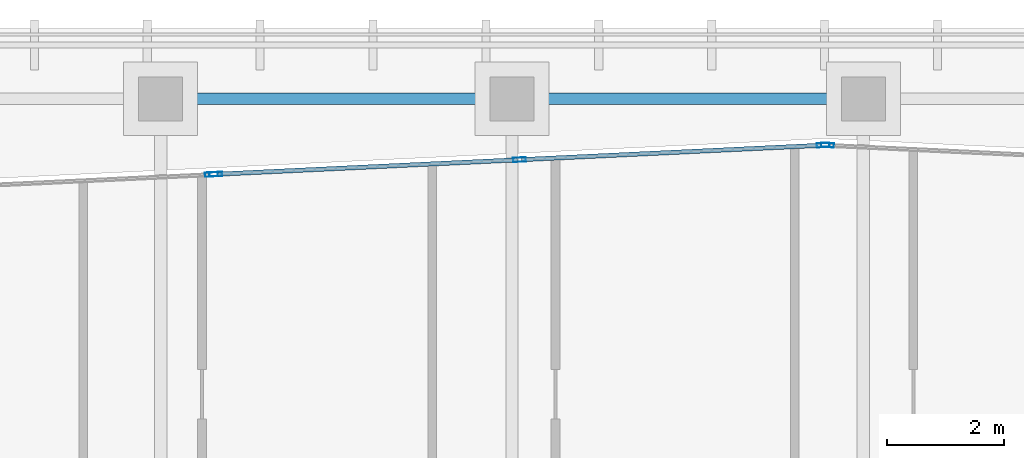
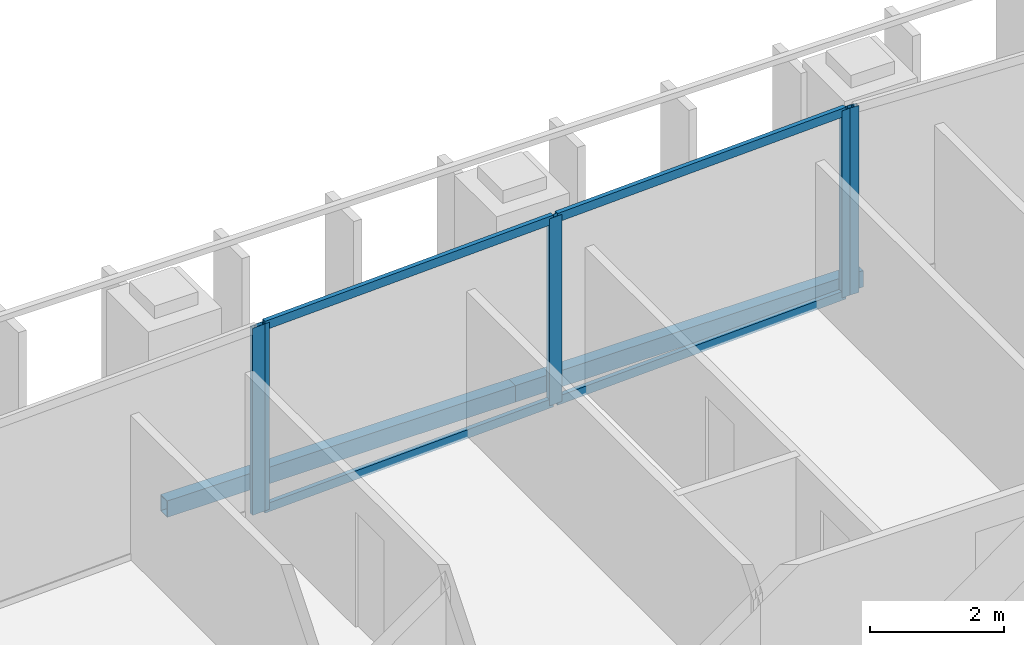
# One storey, part 15 of 31: 9 members, 2 beams, 3 elements without a shape of their own.
"""IFC4 building model written with IfcOpenShell, lengths in metres."""

from ifc_helpers import new_model, si_unit, direction, frame, origin, origin_2d, place, context, subcontext, project, spatial, hollow_rectangle, extrude, material, layer, layer_set, material_profile, profile_set, type_object, element, aggregate, save


model = new_model("IFC4")

# Units and contexts
model_context = context("Model", 3, precision=1e-05, world=origin(), true_north=direction((0.0, 1.0)))
body_context = subcontext(model_context, "Body", "Model", "MODEL_VIEW")
ifc_project = project(units=[si_unit("LENGTHUNIT", "METRE"), si_unit("AREAUNIT", "SQUARE_METRE"), si_unit("VOLUMEUNIT", "CUBIC_METRE"), si_unit("PLANEANGLEUNIT", "RADIAN"), si_unit("MASSUNIT", "GRAM", prefix="KILO")], contexts=[model_context])

# Site, building, storey
site_placement = place(None, origin())
site = spatial("IfcSite", under=ifc_project, at=site_placement, CompositionType="ELEMENT")
building_placement = place(site_placement, origin())
building = spatial("IfcBuilding", under=site, at=building_placement, Name="Tanjung Sevakor Pilgrim Tower", CompositionType="ELEMENT")
storey_placement = place(building_placement, frame((0.0, 0.0, 208.22998046875)))
storey = spatial("IfcBuildingStorey", under=building, at=storey_placement, Name="L58", CompositionType="ELEMENT", Elevation=208.22998046875)

# Beams
ifc_material_1 = material(Name="Steel S355J2", Category="steel")
ifc_material_profile_1 = material_profile(ifc_material_1, hollow_rectangle(XDim=0.199951171875, YDim=0.300048828125, WallThickness=0.012451171875, at=origin_2d()))
ifc_profile_set_1 = profile_set([ifc_material_profile_1], Name="Steel S355J2")
beam_type = type_object("IfcBeamType", Name="BM-B-SP3-RHS_300x200x12.5", PredefinedType="SPANDREL", material=ifc_profile_set_1)
for number, where, z_axis, x_axis, name in (
    (1, (72.0, 53.949951171875, -0.369873046875), (1.0, 0.0, 0.0), (0.0, 1.0, 0.0), "L58 Spandrel MAIN N-12"),
    (2, (78.0, 53.949951171875, -0.369873046875), (1.0, 0.0, 0.0), (0.0, 1.0, 0.0), "L58 Spandrel MAIN N-14"),
):
    element("IfcBeam", number, at=place(storey_placement, frame(where, z_axis=z_axis, x_axis=x_axis)), inside=storey, type_object=beam_type, Name=name, PredefinedType="SPANDREL", context=body_context, shape_type="SweptSolid", body=[
        extrude(hollow_rectangle(XDim=0.199951171875, YDim=0.300048828125, WallThickness=0.012451171875, at=origin_2d()), origin(), (0.0, 0.0, 1.0), 6.0),
    ])

# Curtain wall, member
ifc_material_2 = material(Name="Aluminium 6063-T6 and Low-E Glass", Category="aluminium")
ifc_layer = layer(ifc_material_2, 0.199951171875)
ifc_layer_set = layer_set([ifc_layer], Name="CW-SYS-PRAY")
curtain_wall_type = type_object("IfcCurtainWallType", Name="CW-SYS-PRAY", PredefinedType="NOTDEFINED", material=ifc_layer_set)
curtain_wall_1_placement = place(storey_placement, origin())
curtain_wall_1 = element("IfcCurtainWall", 3, at=curtain_wall_1_placement, inside=storey, type_object=curtain_wall_type, Name="L58 Curtain Wall CW-PRY-L58-20B", PredefinedType="NOTDEFINED")
ifc_material_3 = material(Name="Aluminium 6063-T6", Category="aluminium")
ifc_material_profile_2 = material_profile(ifc_material_3, hollow_rectangle(XDim=0.074951171875, YDim=0.219970703125, WallThickness=0.0048828125, at=origin_2d()))
ifc_profile_set_2 = profile_set([ifc_material_profile_2], Name="Aluminium 6063-T6")
member_type_1 = type_object("IfcMemberType", Name="TYPE-CWM-2", PredefinedType="MULLION", material=ifc_profile_set_2)
member_1_placement = place(storey_placement, frame((83.387451171875, 53.158203125, 0.0), z_axis=(0.0, 0.0, 1.0), x_axis=(-0.047790644983, -0.998857374329, 0.0)))
member_1 = element("IfcMember", 4, at=member_1_placement, type_object=member_type_1, Name="CW-PRY mullion 2", PredefinedType="MULLION", context=body_context, shape_type="SweptSolid", body=[
    extrude(hollow_rectangle(XDim=0.074951171875, YDim=0.219970703125, WallThickness=0.0048828125, at=origin_2d()), origin(), (0.0, 0.0, 1.0), 3.409912109375),
])
aggregate(curtain_wall_1, [member_1])

# Curtain wall, members
curtain_wall_2_placement = place(storey_placement, origin())
curtain_wall_2 = element("IfcCurtainWall", 5, at=curtain_wall_2_placement, inside=storey, type_object=curtain_wall_type, Name="L58 Curtain Wall CW-PRY-L58-21", PredefinedType="NOTDEFINED")
member_2_placement = place(storey_placement, frame((83.3125, 53.158203125, 0.0), z_axis=(0.0, 0.0, 1.0), x_axis=(0.047797328387, -0.998857054537, 0.0)))
member_2 = element("IfcMember", 6, at=member_2_placement, type_object=member_type_1, Name="CW-PRY mullion 1", PredefinedType="MULLION", context=body_context, shape_type="SweptSolid", body=[
    extrude(hollow_rectangle(XDim=0.074951171875, YDim=0.219970703125, WallThickness=0.0048828125, at=origin_2d()), origin(), (0.0, 0.0, 1.0), 3.409912109375),
])
member_3_placement = place(storey_placement, frame((78.127685546875, 52.909912109375, 0.0), z_axis=(0.0, 0.0, 1.0), x_axis=(0.047797328387, -0.998857054537, 0.0)))
member_3 = element("IfcMember", 7, at=member_3_placement, type_object=member_type_1, Name="CW-PRY mullion 2", PredefinedType="MULLION", context=body_context, shape_type="SweptSolid", body=[
    extrude(hollow_rectangle(XDim=0.074951171875, YDim=0.219970703125, WallThickness=0.0048828125, at=origin_2d()), origin(), (0.0, 0.0, 1.0), 3.409912109375),
])
member_4_placement = place(storey_placement, frame((72.94287109375, 52.661865234375, 0.0), z_axis=(0.0, 0.0, 1.0), x_axis=(0.047797328387, -0.998857054537, 0.0)))
member_4 = element("IfcMember", 8, at=member_4_placement, type_object=member_type_1, Name="CW-PRY mullion 3", PredefinedType="MULLION", context=body_context, shape_type="SweptSolid", body=[
    extrude(hollow_rectangle(XDim=0.074951171875, YDim=0.219970703125, WallThickness=0.0048828125, at=origin_2d()), origin(), (0.0, 0.0, 1.0), 3.409912109375),
])

# Curtain wall, member
curtain_wall_3_placement = place(storey_placement, origin())
curtain_wall_3 = element("IfcCurtainWall", 9, at=curtain_wall_3_placement, inside=storey, type_object=curtain_wall_type, Name="L58 Curtain Wall CW-PRY-L58-22", PredefinedType="NOTDEFINED")
member_5_placement = place(storey_placement, frame((72.867919921875, 52.658203125, 0.0), z_axis=(0.0, 0.0, 1.0), x_axis=(0.047787107337, -0.998857543583, 0.0)))
member_5 = element("IfcMember", 10, at=member_5_placement, type_object=member_type_1, Name="CW-PRY mullion 1", PredefinedType="MULLION", context=body_context, shape_type="SweptSolid", body=[
    extrude(hollow_rectangle(XDim=0.074951171875, YDim=0.219970703125, WallThickness=0.0048828125, at=origin_2d()), origin(), (0.0, 0.0, 1.0), 3.409912109375),
])
aggregate(curtain_wall_3, [member_5])

# Member
ifc_material_4 = material(Name="Aluminium 6063-T6", Category="aluminium")
ifc_material_profile_3 = material_profile(ifc_material_4, hollow_rectangle(XDim=0.074951171875, YDim=0.159912109375, WallThickness=0.00439453125, at=origin_2d()))
ifc_profile_set_3 = profile_set([ifc_material_profile_3], Name="Aluminium 6063-T6")
member_type_2 = type_object("IfcMemberType", Name="TYPE-CWT-2", PredefinedType="USERDEFINED", material=ifc_profile_set_3)
member_6_placement = place(storey_placement, frame((83.275146484375, 53.15625, 0.03759765625), z_axis=(-0.998858399837, -0.047769206356, 0.0), x_axis=(0.047769206356, -0.998858399837, 0.0)))
member_6 = element("IfcMember", 11, at=member_6_placement, type_object=member_type_2, Name="CW-PRY transom 1.1", ObjectType="TRANSOM", PredefinedType="USERDEFINED", context=body_context, shape_type="SweptSolid", body=[
    extrude(hollow_rectangle(XDim=0.074951171875, YDim=0.159912109375, WallThickness=0.00439453125, at=origin_2d()), origin(), (0.0, 0.0, 1.0), 5.115966796875),
])

member_7_placement = place(storey_placement, frame((83.275146484375, 53.15625, 3.37255859375), z_axis=(-0.998858399837, -0.047769206356, 0.0), x_axis=(0.047769206356, -0.998858399837, 0.0)))
member_7 = element("IfcMember", 12, at=member_7_placement, type_object=member_type_2, Name="CW-PRY transom 1.2", ObjectType="TRANSOM", PredefinedType="USERDEFINED", context=body_context, shape_type="SweptSolid", body=[
    extrude(hollow_rectangle(XDim=0.074951171875, YDim=0.159912109375, WallThickness=0.00439453125, at=origin_2d()), origin(), (0.0, 0.0, 1.0), 5.115966796875),
])

member_8_placement = place(storey_placement, frame((78.090087890625, 52.908203125, 0.03759765625), z_axis=(-0.998856012572, -0.047819098165, 0.0), x_axis=(0.047819098165, -0.998856012572, 0.0)))
member_8 = element("IfcMember", 13, at=member_8_placement, type_object=member_type_2, Name="CW-PRY transom 2.1", ObjectType="TRANSOM", PredefinedType="USERDEFINED", context=body_context, shape_type="SweptSolid", body=[
    extrude(hollow_rectangle(XDim=0.074951171875, YDim=0.159912109375, WallThickness=0.00439453125, at=origin_2d()), origin(), (0.0, 0.0, 1.0), 5.11572265625),
])

member_9_placement = place(storey_placement, frame((78.090087890625, 52.908203125, 3.37255859375), z_axis=(-0.998856012572, -0.047819098165, 0.0), x_axis=(0.047819098165, -0.998856012572, 0.0)))
member_9 = element("IfcMember", 14, at=member_9_placement, type_object=member_type_2, Name="CW-PRY transom 2.2", ObjectType="TRANSOM", PredefinedType="USERDEFINED", context=body_context, shape_type="SweptSolid", body=[
    extrude(hollow_rectangle(XDim=0.074951171875, YDim=0.159912109375, WallThickness=0.00439453125, at=origin_2d()), origin(), (0.0, 0.0, 1.0), 5.11572265625),
])

aggregate(curtain_wall_2, [member_2, member_3, member_4, member_6, member_7, member_8, member_9])

save(model, "model.ifc")
